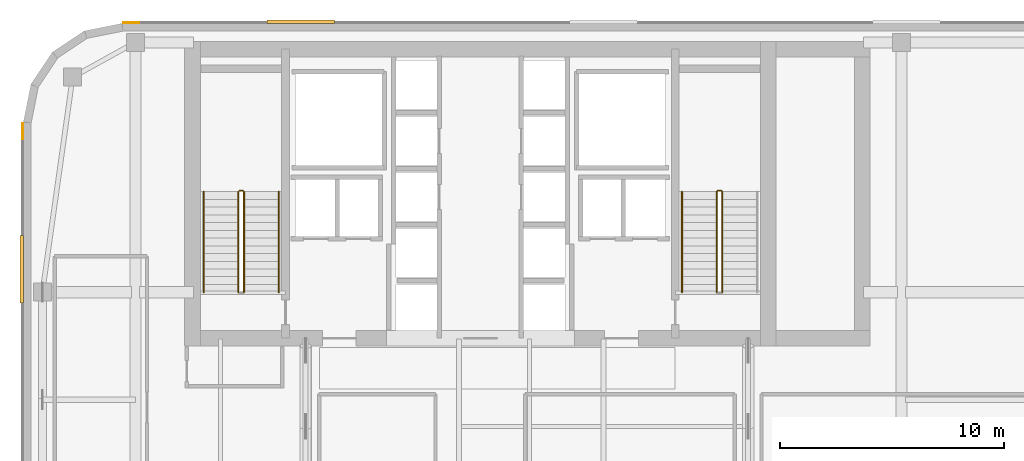
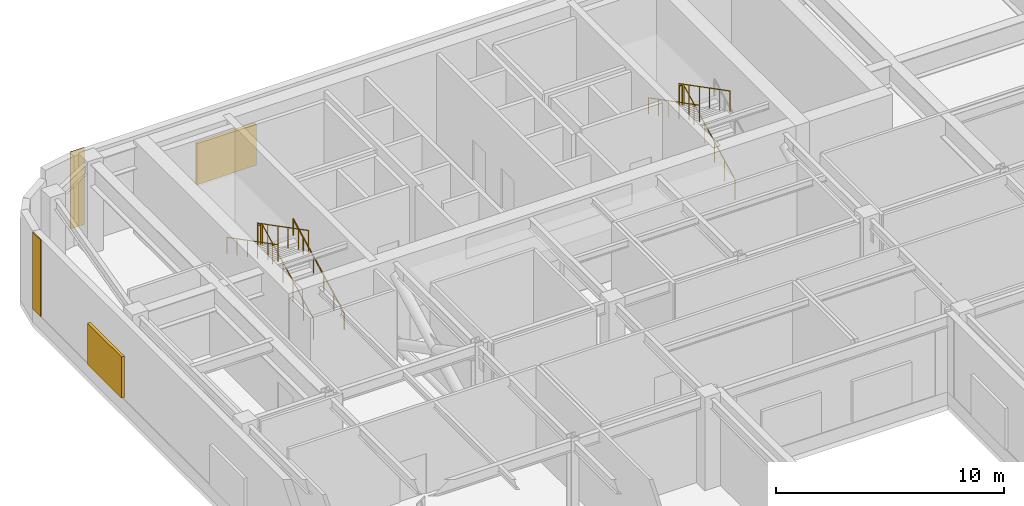
# One storey, part 11 of 12: 9 railings, 2 coverings, 2 shading devices.
"""IFC4 building model written with IfcOpenShell, lengths in metres."""

from ifc_helpers import new_model, si_unit, direction, frame, origin, origin_2d, place, context, subcontext, project, spatial, polyline, circle, outline, extrude, material, layer, layer_set, type_object, element, save


model = new_model("IFC4")

# Units and contexts
model_context = context("Model", 3, precision=1e-05, world=origin(), true_north=direction((0.0, 1.0)))
body_context = subcontext(model_context, "Body", "Model", "MODEL_VIEW")
ifc_project = project(units=[si_unit("LENGTHUNIT", "METRE"), si_unit("AREAUNIT", "SQUARE_METRE"), si_unit("VOLUMEUNIT", "CUBIC_METRE"), si_unit("PLANEANGLEUNIT", "RADIAN"), si_unit("MASSUNIT", "GRAM", prefix="KILO")], contexts=[model_context])

# Site, building, storey
site_placement = place(None, origin())
site = spatial("IfcSite", under=ifc_project, at=site_placement, CompositionType="ELEMENT")
building_placement = place(site_placement, origin())
building = spatial("IfcBuilding", under=site, at=building_placement, Name="Tolvann Quenvar Hotel", CompositionType="ELEMENT")
storey_placement = place(building_placement, frame((0.0, 0.0, 182.550048828125)))
storey = spatial("IfcBuildingStorey", under=building, at=storey_placement, Name="L48", CompositionType="ELEMENT", Elevation=182.550048828125)

# Coverings
ifc_material_1 = material(Name="Kiln-fired red architectural face brick cladding", Category="masonry")
ifc_layer = layer(ifc_material_1, 0.0400390625)
ifc_layer_set = layer_set([ifc_layer], Name="Kiln-fired red architectural face brick cladding")
covering_type = type_object("IfcCoveringType", Name="COV_CLAD_BRICK_40", PredefinedType="CLADDING", material=ifc_layer_set)
covering_1_placement = place(storey_placement, frame((0.0, 0.0, 0.699951171875)))
element("IfcCovering", 1, at=covering_1_placement, inside=storey, type_object=covering_type, Name="Brick Pier Cladding (L48-E18-P2)", PredefinedType="CLADDING", context=body_context, shape_type="SweptSolid", body=[
    extrude(outline(polyline([(7.76708984375, 46.0), (7.067138671875, 46.0), (7.067138671875, 46.0400390625), (7.76708984375, 46.0400390625), (7.76708984375, 46.0)])), origin(), (0.0, 0.0, 1.0), 4.1201171875),
])
covering_2_placement = place(storey_placement, frame((0.0, 0.0, 0.699951171875)))
element("IfcCovering", 2, at=covering_2_placement, inside=storey, type_object=covering_type, Name="Brick Pier Cladding (L48-E23-P1)", PredefinedType="CLADDING", context=body_context, shape_type="SweptSolid", body=[
    extrude(outline(polyline([(2.60009765625, 41.53271484375), (2.60009765625, 40.832763671875), (2.56005859375, 40.832763671875), (2.56005859375, 41.53271484375), (2.60009765625, 41.53271484375)])), origin(), (0.0, 0.0, 1.0), 4.1201171875),
])

# Railings
ifc_material_2 = material(Name="Brushed 316 stainless steel balustrade and handrail", Category="steel")
railing_type_1 = type_object("IfcRailingType", Name="GUARDRAIL", PredefinedType="GUARDRAIL", material=ifc_material_2)
railing_1_placement = place(storey_placement, frame((12.449951171875, 34.0, 0.178466796875)))
element("IfcRailing", 3, at=railing_1_placement, inside=storey, type_object=railing_type_1, Name="L48 ST-C1 stair guard 1", PredefinedType="GUARDRAIL", context=body_context, shape_type="SweptSolid", body=[
    extrude(circle(Radius=0.02392578125, at=origin_2d()), frame((0.0, 0.0, 1.09619140625), z_axis=(0.0, 0.888084280779, 0.459680661147), x_axis=(-1.0, 0.0, 0.0)), (0.0, 0.0, 1.0), 5.05029296875),
    extrude(circle(Radius=0.02099609375, at=origin_2d()), origin(), (0.0, 0.0, 1.0), 1.072021484375),
    extrude(circle(Radius=0.02099609375, at=origin_2d()), frame((0.0, 0.89697265625, 0.46435546875)), (0.0, 0.0, 1.0), 1.072021484375),
    extrude(circle(Radius=0.02099609375, at=origin_2d()), frame((0.0, 1.7939453125, 0.9287109375)), (0.0, 0.0, 1.0), 1.072021484375),
    extrude(circle(Radius=0.02099609375, at=origin_2d()), frame((0.0, 2.691162109375, 1.392822265625)), (0.0, 0.0, 1.0), 1.072021484375),
    extrude(circle(Radius=0.02099609375, at=origin_2d()), frame((0.0, 3.588134765625, 1.857177734375)), (0.0, 0.0, 1.0), 1.072021484375),
    extrude(circle(Radius=0.02099609375, at=origin_2d()), frame((0.0, 4.485107421875, 2.321533203125)), (0.0, 0.0, 1.0), 1.072021484375),
])
railing_2_placement = place(storey_placement, frame((12.39990234375, 38.534912109375, 2.5)))
element("IfcRailing", 4, at=railing_2_placement, inside=storey, type_object=railing_type_1, Name="L48 ST-C1 stair guard 2", PredefinedType="GUARDRAIL", context=body_context, shape_type="SweptSolid", body=[
    extrude(circle(Radius=0.02392578125, at=origin_2d()), frame((0.0, 0.0, 1.09619140625), z_axis=(-1.0, 0.0, 0.0), x_axis=(0.0, -1.0, 0.0)), (0.0, 0.0, 1.0), 0.14990234375),
    extrude(circle(Radius=0.02099609375, at=origin_2d()), origin(), (0.0, 0.0, 1.0), 1.072021484375),
    extrude(circle(Radius=0.02099609375, at=origin_2d()), frame((-0.14990234375, 0.0, 0.0)), (0.0, 0.0, 1.0), 1.072021484375),
])
railing_3_placement = place(storey_placement, frame((12.199951171875, 38.485107421875, 2.678466796875)))
element("IfcRailing", 5, at=railing_3_placement, inside=storey, type_object=railing_type_1, Name="L48 ST-C1 stair guard 3", PredefinedType="GUARDRAIL", context=body_context, shape_type="SweptSolid", body=[
    extrude(circle(Radius=0.02392578125, at=origin_2d()), frame((0.0, 0.0, 1.09619140625), z_axis=(0.0, -0.888084280779, 0.459680661147), x_axis=(1.0, 0.0, 0.0)), (0.0, 0.0, 1.0), 5.05029296875),
    extrude(circle(Radius=0.02099609375, at=origin_2d()), origin(), (0.0, 0.0, 1.0), 1.072021484375),
    extrude(circle(Radius=0.02099609375, at=origin_2d()), frame((0.0, -0.89697265625, 0.46435546875)), (0.0, 0.0, 1.0), 1.072021484375),
    extrude(circle(Radius=0.02099609375, at=origin_2d()), frame((0.0, -1.7939453125, 0.9287109375)), (0.0, 0.0, 1.0), 1.072021484375),
    extrude(circle(Radius=0.02099609375, at=origin_2d()), frame((0.0, -2.691162109375, 1.392822265625)), (0.0, 0.0, 1.0), 1.072021484375),
    extrude(circle(Radius=0.02099609375, at=origin_2d()), frame((0.0, -3.588134765625, 1.857177734375)), (0.0, 0.0, 1.0), 1.072021484375),
    extrude(circle(Radius=0.02099609375, at=origin_2d()), frame((0.0, -4.485107421875, 2.321533203125)), (0.0, 0.0, 1.0), 1.072021484375),
])
railing_4_placement = place(storey_placement, frame((33.800048828125, 34.0, 0.178466796875)))
element("IfcRailing", 6, at=railing_4_placement, inside=storey, type_object=railing_type_1, Name="L48 ST-C2 stair guard 1", PredefinedType="GUARDRAIL", context=body_context, shape_type="SweptSolid", body=[
    extrude(circle(Radius=0.02392578125, at=origin_2d()), frame((0.0, 0.0, 1.09619140625), z_axis=(0.0, 0.888084280779, 0.459680661147), x_axis=(-1.0, 0.0, 0.0)), (0.0, 0.0, 1.0), 5.05029296875),
    extrude(circle(Radius=0.02099609375, at=origin_2d()), origin(), (0.0, 0.0, 1.0), 1.072021484375),
    extrude(circle(Radius=0.02099609375, at=origin_2d()), frame((0.0, 0.89697265625, 0.46435546875)), (0.0, 0.0, 1.0), 1.072021484375),
    extrude(circle(Radius=0.02099609375, at=origin_2d()), frame((0.0, 1.7939453125, 0.9287109375)), (0.0, 0.0, 1.0), 1.072021484375),
    extrude(circle(Radius=0.02099609375, at=origin_2d()), frame((0.0, 2.691162109375, 1.392822265625)), (0.0, 0.0, 1.0), 1.072021484375),
    extrude(circle(Radius=0.02099609375, at=origin_2d()), frame((0.0, 3.588134765625, 1.857177734375)), (0.0, 0.0, 1.0), 1.072021484375),
    extrude(circle(Radius=0.02099609375, at=origin_2d()), frame((0.0, 4.485107421875, 2.321533203125)), (0.0, 0.0, 1.0), 1.072021484375),
])
railing_5_placement = place(storey_placement, frame((33.75, 38.534912109375, 2.5)))
element("IfcRailing", 7, at=railing_5_placement, inside=storey, type_object=railing_type_1, Name="L48 ST-C2 stair guard 2", PredefinedType="GUARDRAIL", context=body_context, shape_type="SweptSolid", body=[
    extrude(circle(Radius=0.02392578125, at=origin_2d()), frame((0.0, 0.0, 1.09619140625), z_axis=(-1.0, 0.0, 0.0), x_axis=(0.0, -1.0, 0.0)), (0.0, 0.0, 1.0), 0.14990234375),
    extrude(circle(Radius=0.02099609375, at=origin_2d()), origin(), (0.0, 0.0, 1.0), 1.072021484375),
    extrude(circle(Radius=0.02099609375, at=origin_2d()), frame((-0.14990234375, 0.0, 0.0)), (0.0, 0.0, 1.0), 1.072021484375),
])
railing_6_placement = place(storey_placement, frame((33.550048828125, 38.485107421875, 2.678466796875)))
element("IfcRailing", 8, at=railing_6_placement, inside=storey, type_object=railing_type_1, Name="L48 ST-C2 stair guard 3", PredefinedType="GUARDRAIL", context=body_context, shape_type="SweptSolid", body=[
    extrude(circle(Radius=0.02392578125, at=origin_2d()), frame((0.0, 0.0, 1.09619140625), z_axis=(0.0, -0.888084280779, 0.459680661147), x_axis=(1.0, 0.0, 0.0)), (0.0, 0.0, 1.0), 5.05029296875),
    extrude(circle(Radius=0.02099609375, at=origin_2d()), origin(), (0.0, 0.0, 1.0), 1.072021484375),
    extrude(circle(Radius=0.02099609375, at=origin_2d()), frame((0.0, -0.89697265625, 0.46435546875)), (0.0, 0.0, 1.0), 1.072021484375),
    extrude(circle(Radius=0.02099609375, at=origin_2d()), frame((0.0, -1.7939453125, 0.9287109375)), (0.0, 0.0, 1.0), 1.072021484375),
    extrude(circle(Radius=0.02099609375, at=origin_2d()), frame((0.0, -2.691162109375, 1.392822265625)), (0.0, 0.0, 1.0), 1.072021484375),
    extrude(circle(Radius=0.02099609375, at=origin_2d()), frame((0.0, -3.588134765625, 1.857177734375)), (0.0, 0.0, 1.0), 1.072021484375),
    extrude(circle(Radius=0.02099609375, at=origin_2d()), frame((0.0, -4.485107421875, 2.321533203125)), (0.0, 0.0, 1.0), 1.072021484375),
])
railing_type_2 = type_object("IfcRailingType", Name="HANDRAIL", PredefinedType="HANDRAIL", material=ifc_material_2)
railing_7_placement = place(storey_placement, frame((14.0, 34.0, 0.178466796875)))
element("IfcRailing", 9, at=railing_7_placement, inside=storey, type_object=railing_type_2, Name="L48 ST-C1 stair handrail 1", PredefinedType="HANDRAIL", context=body_context, shape_type="SweptSolid", body=[
    extrude(circle(Radius=0.02392578125, at=origin_2d()), frame((0.0, 0.0, 0.8759765625), z_axis=(0.0, 0.888084280779, 0.459680661147), x_axis=(-1.0, 0.0, 0.0)), (0.0, 0.0, 1.0), 5.05029296875),
    extrude(circle(Radius=0.02099609375, at=origin_2d()), origin(), (0.0, 0.0, 1.0), 0.851806640625),
    extrude(circle(Radius=0.02099609375, at=origin_2d()), frame((0.0, 0.89697265625, 0.46435546875)), (0.0, 0.0, 1.0), 0.851806640625),
    extrude(circle(Radius=0.02099609375, at=origin_2d()), frame((0.0, 1.7939453125, 0.9287109375)), (0.0, 0.0, 1.0), 0.851806640625),
    extrude(circle(Radius=0.02099609375, at=origin_2d()), frame((0.0, 2.691162109375, 1.392822265625)), (0.0, 0.0, 1.0), 0.851806640625),
    extrude(circle(Radius=0.02099609375, at=origin_2d()), frame((0.0, 3.588134765625, 1.857177734375)), (0.0, 0.0, 1.0), 0.851806640625),
    extrude(circle(Radius=0.02099609375, at=origin_2d()), frame((0.0, 4.485107421875, 2.321533203125)), (0.0, 0.0, 1.0), 0.851806640625),
])
for number, where, name in (
    (10, (10.64990234375, 38.485107421875, 2.678466796875), "L48 ST-C1 stair handrail 2"),
    (11, (32.0, 38.485107421875, 2.678466796875), "L48 ST-C2 stair handrail 2"),
):
    element("IfcRailing", number, at=place(storey_placement, frame(where)), inside=storey, type_object=railing_type_2, Name=name, PredefinedType="HANDRAIL", context=body_context, shape_type="SweptSolid", body=[
        extrude(circle(Radius=0.02392578125, at=origin_2d()), frame((0.0, 0.0, 0.8759765625), z_axis=(0.0, -0.888084280779, 0.459680661147), x_axis=(1.0, 0.0, 0.0)), (0.0, 0.0, 1.0), 5.05029296875),
        extrude(circle(Radius=0.02099609375, at=origin_2d()), origin(), (0.0, 0.0, 1.0), 0.851806640625),
        extrude(circle(Radius=0.02099609375, at=origin_2d()), frame((0.0, -0.89697265625, 0.46435546875)), (0.0, 0.0, 1.0), 0.851806640625),
        extrude(circle(Radius=0.02099609375, at=origin_2d()), frame((0.0, -1.7939453125, 0.9287109375)), (0.0, 0.0, 1.0), 0.851806640625),
        extrude(circle(Radius=0.02099609375, at=origin_2d()), frame((0.0, -2.691162109375, 1.392822265625)), (0.0, 0.0, 1.0), 0.851806640625),
        extrude(circle(Radius=0.02099609375, at=origin_2d()), frame((0.0, -3.588134765625, 1.857177734375)), (0.0, 0.0, 1.0), 0.851806640625),
        extrude(circle(Radius=0.02099609375, at=origin_2d()), frame((0.0, -4.485107421875, 2.321533203125)), (0.0, 0.0, 1.0), 0.851806640625),
    ])

# Shading devices
ifc_material_3 = material(Name="Extruded bronze-anodised aluminium acoustic weather louvre", Category="aluminium")
shading_device_type = type_object("IfcShadingDeviceType", Name="SHD_LOUVRE_AL", PredefinedType="JALOUSIE", material=ifc_material_3)
shading_device_1_placement = place(storey_placement, frame((0.0, 0.0, 0.820068359375)))
element("IfcShadingDevice", 12, at=shading_device_1_placement, inside=storey, type_object=shading_device_type, Name="Acoustic Plant Weather Louvre (L48-E18-3)", PredefinedType="JALOUSIE", context=body_context, shape_type="SweptSolid", body=[
    extrude(outline(polyline([(16.47802734375, 46.0), (13.47802734375, 46.0), (13.47802734375, 46.14990234375), (16.47802734375, 46.14990234375), (16.47802734375, 46.0)])), origin(), (0.0, 0.0, 1.0), 2.199951171875),
])
shading_device_2_placement = place(storey_placement, frame((0.0, 0.0, 0.820068359375)))
element("IfcShadingDevice", 13, at=shading_device_2_placement, inside=storey, type_object=shading_device_type, Name="Acoustic Plant Weather Louvre (L48-E23-1)", PredefinedType="JALOUSIE", context=body_context, shape_type="SweptSolid", body=[
    extrude(outline(polyline([(2.60009765625, 36.52197265625), (2.60009765625, 33.52197265625), (2.449951171875, 33.52197265625), (2.449951171875, 36.52197265625), (2.60009765625, 36.52197265625)])), origin(), (0.0, 0.0, 1.0), 2.199951171875),
])

save(model, "model.ifc")
